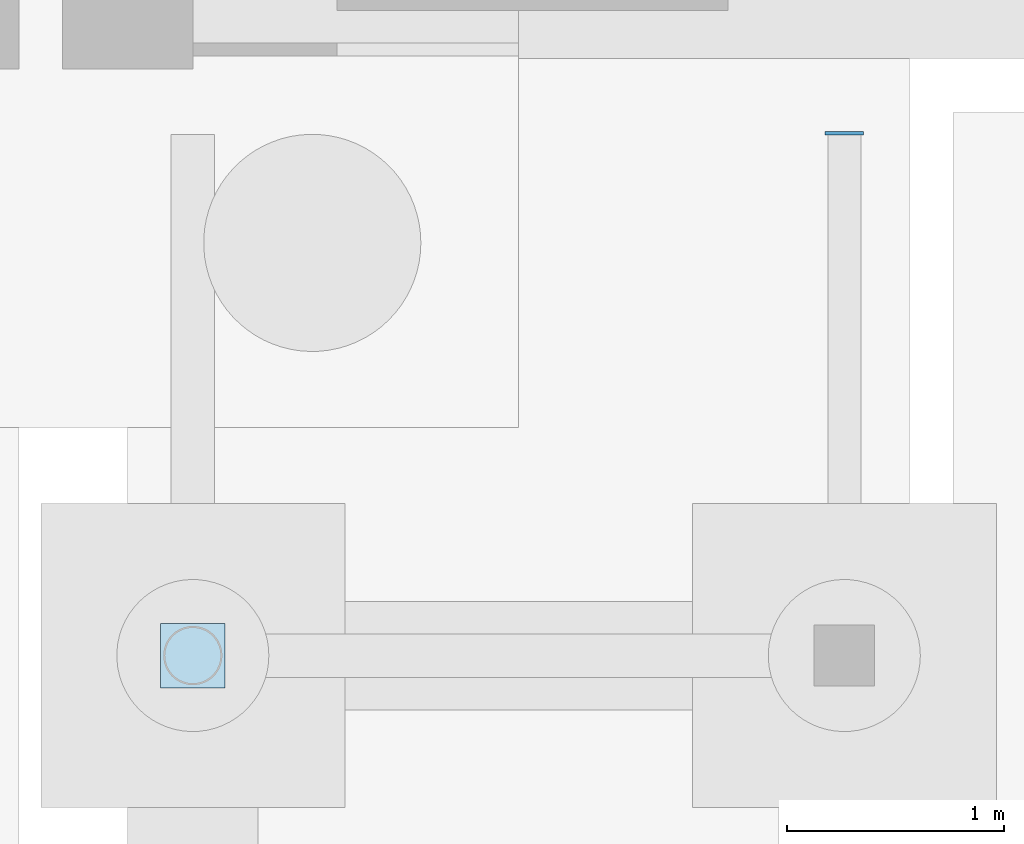
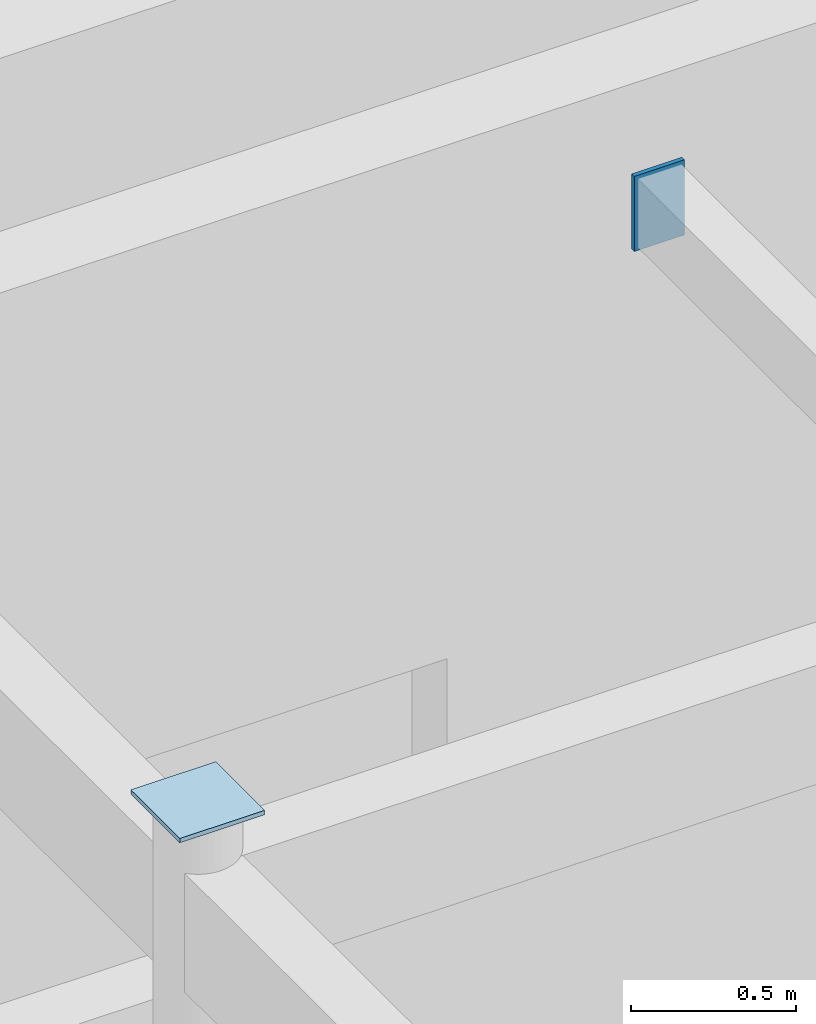
# One storey, part 91 of 143: 2 plates.
"""IFC4 building model written with IfcOpenShell, lengths in metres."""

from ifc_helpers import new_model, si_unit, direction, frame, origin, origin_2d, place, context, subcontext, project, spatial, rectangle, extrude, material, layer, layer_set, type_object, element, save


model = new_model("IFC4")

# Units and contexts
model_context = context("Model", 3, precision=1e-05, world=origin(), true_north=direction((0.0, 1.0)))
body_context = subcontext(model_context, "Body", "Model", "MODEL_VIEW")
ifc_project = project(units=[si_unit("LENGTHUNIT", "METRE"), si_unit("AREAUNIT", "SQUARE_METRE"), si_unit("VOLUMEUNIT", "CUBIC_METRE"), si_unit("PLANEANGLEUNIT", "RADIAN"), si_unit("MASSUNIT", "GRAM", prefix="KILO")], contexts=[model_context])

# Site, building, storey
site_placement = place(None, origin())
site = spatial("IfcSite", under=ifc_project, at=site_placement, CompositionType="ELEMENT")
building_placement = place(site_placement, origin())
building = spatial("IfcBuilding", under=site, at=building_placement, Name="Steenspoor Specialist Clinic", CompositionType="ELEMENT")
storey_placement = place(building_placement, origin())
storey = spatial("IfcBuildingStorey", under=building, at=storey_placement, Name="L00", CompositionType="ELEMENT", Elevation=0.0)

# Plates
ifc_material = material(Name="Steel A572 Grade 50", Category="steel")
ifc_layer = layer(ifc_material, 0.01611328125)
ifc_layer_set = layer_set([ifc_layer], Name="Steel A572 Grade 50")
plate_type = type_object("IfcPlateType", Name="PL-GUS-16", PredefinedType="SHEET", material=ifc_layer_set)
plate_1_placement = place(storey_placement, frame((118.300048828125, 62.14990234375, 3.7978515625), z_axis=(0.0, 0.0, 1.0), x_axis=(1.0, 0.0, 0.0)))
element("IfcPlate", 1, at=plate_1_placement, inside=storey, type_object=plate_type, Name="Hollow Column Top Cap Plate GP-16 12", PredefinedType="SHEET", context=body_context, shape_type="SweptSolid", body=[
    extrude(rectangle(XDim=0.297119140625, YDim=0.297119140625, at=origin_2d()), origin(), (0.0, 0.0, 1.0), 0.01611328125),
])
plate_2_placement = place(storey_placement, frame((121.300048828125, 64.555908203125, 3.369140625), z_axis=(0.0, 0.0, 1.0), x_axis=(1.0, 0.0, 0.0)))
element("IfcPlate", 2, at=plate_2_placement, inside=storey, type_object=plate_type, Name="Hollow Beam End Cap Plate GP-16 17", PredefinedType="SHEET", context=body_context, shape_type="SweptSolid", body=[
    extrude(rectangle(XDim=0.176025390625, YDim=0.01611328125, at=origin_2d()), origin(), (0.0, 0.0, 1.0), 0.278076171875),
])

save(model, "model.ifc")
